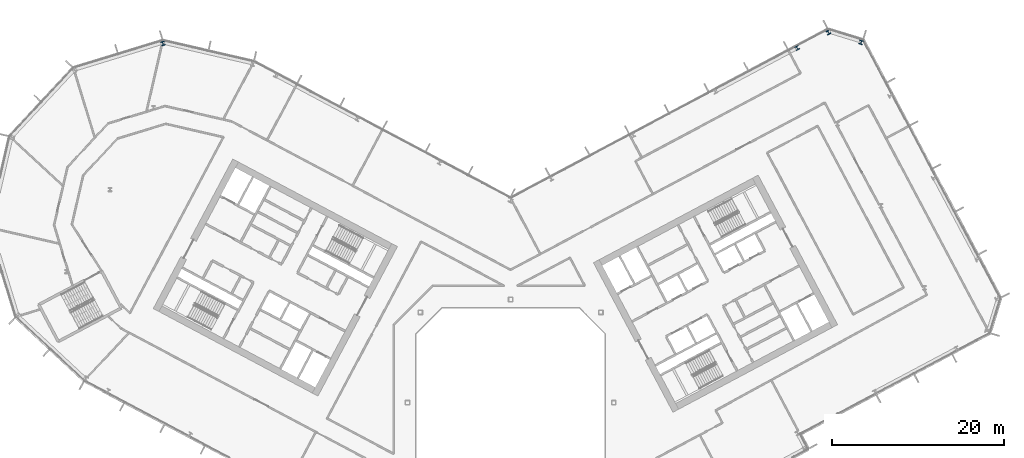
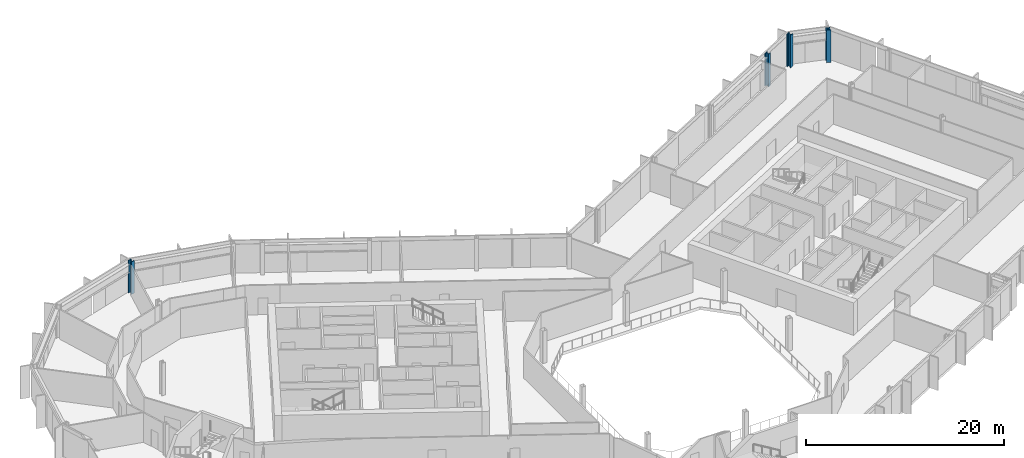
# One storey, part 8 of 28: 4 columns.
"""IFC4 building model written with IfcOpenShell, lengths in metres."""

import ifcopenshell
import ifcopenshell.guid

model = None  # the IFC model being written
_history = None  # IfcOwnerHistory: only IFC2X3 demands one
_inside = {}  # id of a spatial element -> (the spatial element, [elements in it])
_under = {}  # id of a project, library or spatial element -> (it, [spatial elements below it])
_declared = {}  # id of a project -> (the project, [libraries it declares])
_typed = {}  # id of a type object -> (the type object, [elements of that type])
_made_of = {}  # id of a material, layer set ... -> (it, [elements and type objects made of it])


def new_model(schema):
    """Start an empty IFC model of exactly this schema.

    Asked for "IFC4X3", IfcOpenShell would pick the latest addendum, in which some entities
    have other attributes; the version numbers below select the first issue.
    IFC2X3 requires an IfcOwnerHistory on every rooted entity: one is made here for all.
    """
    global model, _history
    if schema == "IFC4X3":
        model = ifcopenshell.file(schema_version=(4, 3, 0, 0))
    else:
        model = ifcopenshell.file(schema=schema)
    _inside.clear()
    _under.clear()
    _declared.clear()
    _typed.clear()
    _made_of.clear()
    _history = None
    if model.schema == "IFC2X3":
        org = make("IfcOrganization", Name="unknown")
        user = make(
            "IfcPersonAndOrganization",
            ThePerson=make("IfcPerson", FamilyName="unknown"),
            TheOrganization=org,
        )
        app = make(
            "IfcApplication",
            ApplicationDeveloper=org,
            Version="unknown",
            ApplicationFullName="unknown",
            ApplicationIdentifier="unknown",
        )
        _history = make(
            "IfcOwnerHistory",
            OwningUser=user,
            OwningApplication=app,
            ChangeAction="ADDED",
            CreationDate=0,
        )
    return model


def make(cls, **values):
    """One entity of the class cls with the attributes given. An attribute that is None is left unset."""
    return model.create_entity(
        cls, **{name: value for name, value in values.items() if value is not None}
    )


def rooted(cls, **values):
    """An entity with a GlobalId (a new one), such as an element, a storey or a relation."""
    return make(cls, GlobalId=ifcopenshell.guid.new(), OwnerHistory=_history, **values)


def si_unit(unit_type, name, prefix=None):
    """IfcSIUnit, for example si_unit("LENGTHUNIT", "METRE", prefix="MILLI")."""
    return make("IfcSIUnit", UnitType=unit_type, Prefix=prefix, Name=name)


def assignment(units):
    """IfcUnitAssignment: the units of a project."""
    return None if units is None else make("IfcUnitAssignment", Units=units)


def point(xyz):
    """IfcCartesianPoint."""
    return None if xyz is None else make("IfcCartesianPoint", Coordinates=xyz)


def direction(xyz):
    """IfcDirection."""
    return None if xyz is None else make("IfcDirection", DirectionRatios=xyz)


def frame(location, z_axis=None, x_axis=None):
    """IfcAxis2Placement3D, a coordinate frame: its origin and axes. An axis left out is left unset."""
    return make(
        "IfcAxis2Placement3D",
        Location=point(location),
        Axis=direction(z_axis),
        RefDirection=direction(x_axis),
    )


def frame_2d(location, x_axis=None):
    """IfcAxis2Placement2D, a coordinate frame in the plane: its origin and x axis."""
    return make(
        "IfcAxis2Placement2D", Location=point(location), RefDirection=direction(x_axis)
    )


def origin():
    """The frame at (0, 0, 0) with its axes left unset."""
    return frame((0.0, 0.0, 0.0))


def origin_2d():
    """The frame at (0, 0) in the plane with its x axis left unset."""
    return frame_2d((0.0, 0.0))


def place(relative_to, where):
    """IfcLocalPlacement: puts the frame where relative to a parent placement (None: the world)."""
    return make(
        "IfcLocalPlacement", PlacementRelTo=relative_to, RelativePlacement=where
    )


def context(
    kind, dimensions, precision=None, world=None, true_north=None, identifier=None
):
    """IfcGeometricRepresentationContext, for example the 3D "Model" context."""
    return make(
        "IfcGeometricRepresentationContext",
        ContextIdentifier=identifier,
        ContextType=kind,
        CoordinateSpaceDimension=dimensions,
        Precision=precision,
        WorldCoordinateSystem=world,
        TrueNorth=true_north,
    )


def subcontext(parent, identifier, kind, view, scale=None):
    """IfcGeometricRepresentationSubContext, for example "Body" below "Model"."""
    return make(
        "IfcGeometricRepresentationSubContext",
        ContextIdentifier=identifier,
        ContextType=kind,
        ParentContext=parent,
        TargetScale=scale,
        TargetView=view,
    )


def project(units=None, contexts=None):
    """IfcProject with its units and contexts."""
    return rooted(
        "IfcProject",
        Name="project",
        RepresentationContexts=contexts,
        UnitsInContext=assignment(units),
    )


def spatial(cls, under=None, at=None, **own):
    """A site, building, storey or space (cls), placed at a placement, below another one or the project."""
    s = rooted(cls, ObjectPlacement=at, **own)
    if under is not None:
        _under.setdefault(under.id(), (under, []))[1].append(s)
    return s


def profile(cls, at=None, kind="AREA", **sizes):
    """A parametric profile (cls). Its sizes go by their IFC names, for example OverallWidth=200.0."""
    return make(cls, ProfileType=kind, Position=at, **sizes)


def i_section(**sizes):
    """IfcIShapeProfileDef."""
    return profile("IfcIShapeProfileDef", **sizes)


def extrude(swept, where, along, depth):
    """IfcExtrudedAreaSolid: the profile swept, set in the frame where, extruded along a direction by depth."""
    return make(
        "IfcExtrudedAreaSolid",
        SweptArea=swept,
        Position=where,
        ExtrudedDirection=direction(along),
        Depth=depth,
    )


def shape(context_of_items, identifier, shape_type, items):
    """IfcShapeRepresentation: the items that make up one representation, for example the "Body"."""
    return make(
        "IfcShapeRepresentation",
        ContextOfItems=context_of_items,
        RepresentationIdentifier=identifier,
        RepresentationType=shape_type,
        Items=items,
    )


def material(Name=None, Category=None):
    """IfcMaterial."""
    return make("IfcMaterial", Name=Name, Category=Category)


def material_profile(
    of_material, cross_section, Name=None, Category=None, Priority=None
):
    """IfcMaterialProfile: a cross section and its material."""
    return make(
        "IfcMaterialProfile",
        Name=Name,
        Material=of_material,
        Profile=cross_section,
        Priority=Priority,
        Category=Category,
    )


def profile_set(profiles, Name=None, composite=None):
    """IfcMaterialProfileSet."""
    return make(
        "IfcMaterialProfileSet",
        Name=Name,
        MaterialProfiles=profiles,
        CompositeProfile=composite,
    )


def made_of(thing, what):
    """Note that an element or type object is made of a material, layer set ...; save() writes the relation."""
    if what is not None:
        _made_of.setdefault(what.id(), (what, []))[1].append(thing)
    return thing


def type_object(cls, material=None, **own):
    """A type object (cls), such as IfcWallType, which elements share."""
    return made_of(rooted(cls, **own), material)


def element(
    cls,
    number,
    at=None,
    inside=None,
    cuts=None,
    type_object=None,
    material=None,
    context=None,
    identifier="Body",
    shape_type=None,
    held_by="IfcProductDefinitionShape",
    body=None,
    shapes=None,
    **own,
):
    """One element of the class cls, such as IfcWall. Its Tag is "e" and its number.

    at: its placement. inside: the storey or other place that contains it. cuts: it is an
    opening in that element (IfcRelVoidsElement). A single representation is given by context,
    identifier, shape_type and body (its items); several are given by shapes. held_by: the class
    of the entity that holds the representations. save() writes the other relations.
    """
    e = rooted(cls, Tag="e%d" % number, ObjectPlacement=at, **own)
    if body is not None:
        shapes = [shape(context, identifier, shape_type, body)]
    if shapes is not None:
        e.Representation = make(held_by, Representations=shapes)
    if inside is not None:
        _inside.setdefault(inside.id(), (inside, []))[1].append(e)
    if cuts is not None:
        rooted(
            "IfcRelVoidsElement", RelatingBuildingElement=cuts, RelatedOpeningElement=e
        )
    if type_object is not None:
        _typed.setdefault(type_object.id(), (type_object, []))[1].append(e)
    return made_of(e, material)


def aggregate(whole, parts):
    """IfcRelAggregates: a whole, such as a stair, and the parts it consists of."""
    return rooted("IfcRelAggregates", RelatingObject=whole, RelatedObjects=parts)


def save(model, path):
    """Write the relations noted so far, then the file.

    IfcRelAggregates (storeys below a building ...), IfcRelContainedInSpatialStructure (elements
    in a storey), IfcRelDefinesByType, IfcRelAssociatesMaterial and IfcRelDeclares: one each for
    every whole, place, type object, material and project.
    """
    for whole, parts in _under.values():
        aggregate(whole, parts)
    for where, things in _inside.values():
        rooted(
            "IfcRelContainedInSpatialStructure",
            RelatedElements=things,
            RelatingStructure=where,
        )
    for kind, things in _typed.values():
        rooted("IfcRelDefinesByType", RelatedObjects=things, RelatingType=kind)
    for what, things in _made_of.values():
        rooted("IfcRelAssociatesMaterial", RelatedObjects=things, RelatingMaterial=what)
    for by, libraries in _declared.values():
        rooted("IfcRelDeclares", RelatingContext=by, RelatedDefinitions=libraries)
    model.write(path)


model = new_model("IFC4")

# Units and contexts
model_context = context("Model", 3, precision=1e-05, world=origin(), true_north=direction((0.0, 1.0)))
body_context = subcontext(model_context, "Body", "Model", "MODEL_VIEW")
ifc_project = project(units=[si_unit("LENGTHUNIT", "METRE"), si_unit("AREAUNIT", "SQUARE_METRE"), si_unit("VOLUMEUNIT", "CUBIC_METRE"), si_unit("PLANEANGLEUNIT", "RADIAN"), si_unit("MASSUNIT", "GRAM", prefix="KILO")], contexts=[model_context])

# Site, building, storey
site_placement = place(None, origin())
site = spatial("IfcSite", under=ifc_project, at=site_placement, CompositionType="ELEMENT")
building_placement = place(site_placement, origin())
building = spatial("IfcBuilding", under=site, at=building_placement, Name="Cormorant Relay Tower", CompositionType="ELEMENT")
storey_placement = place(building_placement, frame((0.0, 0.0, 166.199951171875)))
storey = spatial("IfcBuildingStorey", under=building, at=storey_placement, Name="L35", CompositionType="ELEMENT", Elevation=166.199951171875)

# Columns
ifc_material_1 = material(Name="Steel ASTM A992 (Fy 345 MPa)", Category="steel")
ifc_material_profile_1 = material_profile(ifc_material_1, i_section(OverallWidth=0.41162109375, OverallDepth=0.434326171875, WebThickness=0.035888671875, FlangeThickness=0.057373046875, FilletRadius=0.01513671875, at=origin_2d()), Name="W360x463")
ifc_profile_set_1 = profile_set([ifc_material_profile_1], Name="Steel ASTM A992 (Fy 345 MPa)")
column_type_1 = type_object("IfcColumnType", Name="Column W360x463", PredefinedType="COLUMN", material=ifc_profile_set_1)
column_placement = place(storey_placement, frame((33.33203125, 41.258056640625, 0.0), z_axis=(0.0, 0.0, 1.0), x_axis=(-0.882947592859, -0.469471562786, 0.0)))
element("IfcColumn", 1, at=column_placement, inside=storey, type_object=column_type_1, Name="Column L35-047", PredefinedType="COLUMN", context=body_context, shape_type="SweptSolid", body=[
    extrude(i_section(OverallWidth=0.41162109375, OverallDepth=0.434326171875, WebThickness=0.035888671875, FlangeThickness=0.057373046875, FilletRadius=0.01513671875, at=origin_2d()), origin(), (0.0, 0.0, 1.0), 4.0),
])
ifc_material_2 = material(Name="Steel ASTM A992 (Fy 345 MPa)", Category="steel")
ifc_material_profile_2 = material_profile(ifc_material_2, i_section(OverallWidth=0.42431640625, OverallDepth=0.47509765625, WebThickness=0.0478515625, FlangeThickness=0.0771484375, FilletRadius=0.014892578125, at=origin_2d()), Name="W360x634")
ifc_profile_set_2 = profile_set([ifc_material_profile_2], Name="Steel ASTM A992 (Fy 345 MPa)")
column_type_2 = type_object("IfcColumnType", Name="Column W360x634", PredefinedType="COLUMN", material=ifc_profile_set_2)
for number, where, z_axis, x_axis, name in (
    (2, (-40.4541015625, 41.783935546875, 0.0), (0.0, 0.0, 1.0), (-0.956304755963, -0.292371704723, 0.0), "Column L35-048"),
    (3, (40.77197265625, 41.9130859375, 0.0), (0.0, 0.0, 1.0), (-0.956304755963, 0.292371704723, 0.0), "Column L35-049"),
    (4, (36.970947265625, 43.075927734375, 0.0), (0.0, 0.0, 1.0), (-0.882947592859, -0.469471562786, 0.0), "Column L35-050"),
):
    element("IfcColumn", number, at=place(storey_placement, frame(where, z_axis=z_axis, x_axis=x_axis)), inside=storey, type_object=column_type_2, Name=name, PredefinedType="COLUMN", context=body_context, shape_type="SweptSolid", body=[
        extrude(i_section(OverallWidth=0.42431640625, OverallDepth=0.47509765625, WebThickness=0.0478515625, FlangeThickness=0.0771484375, FilletRadius=0.014892578125, at=origin_2d()), origin(), (0.0, 0.0, 1.0), 4.0),
    ])

save(model, "model.ifc")
